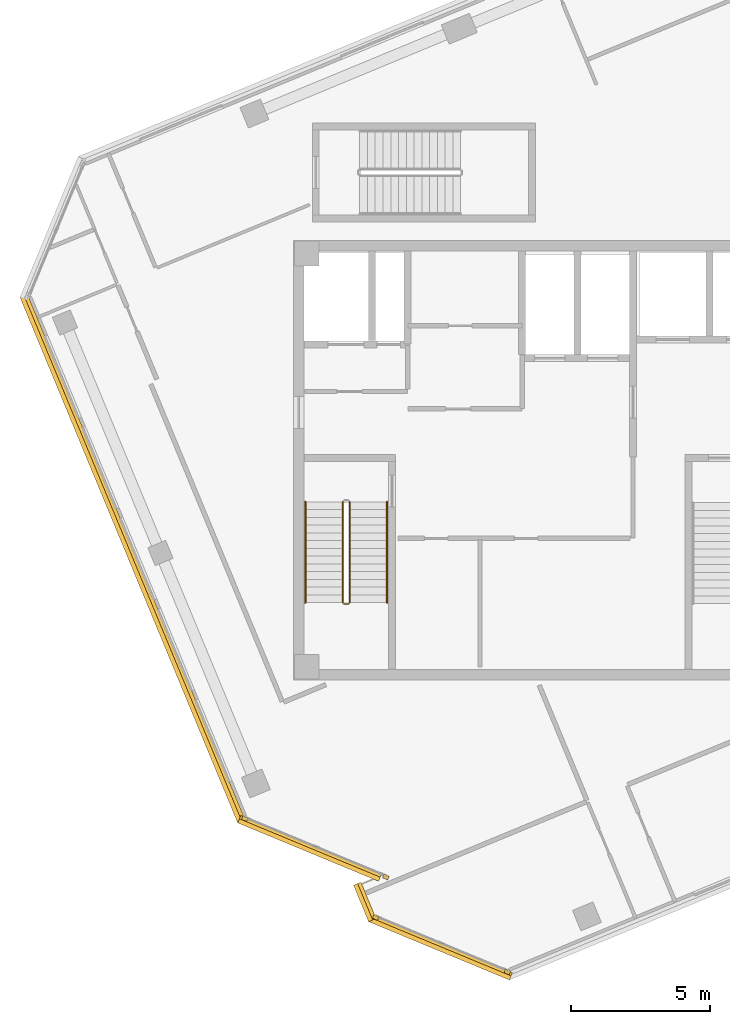
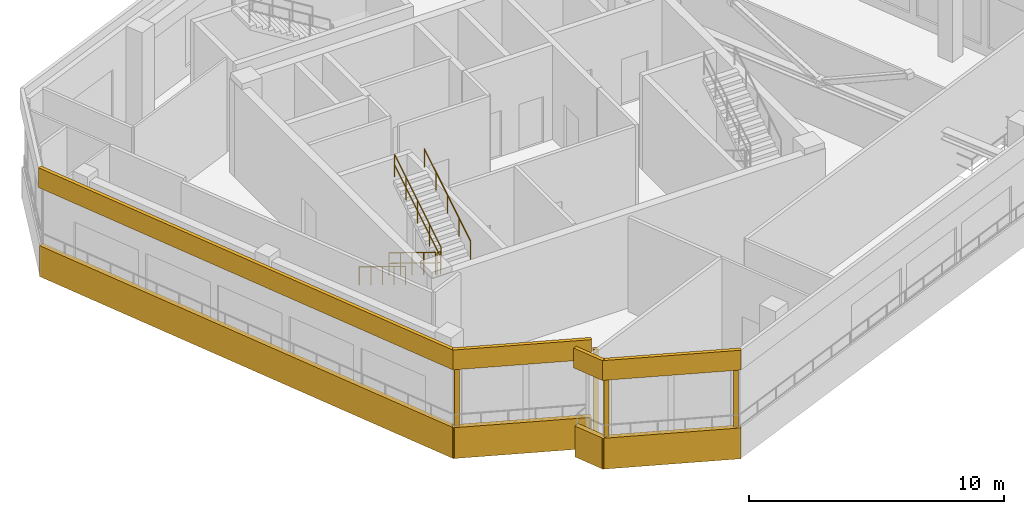
# One storey, part 12 of 17: 12 coverings, 5 railings.
"""IFC4 building model written with IfcOpenShell, lengths in metres."""

from ifc_helpers import new_model, si_unit, direction, frame, origin, origin_2d, place, context, subcontext, project, spatial, rectangle, circle, extrude, source, transform, mapped, material, layer, layer_set, type_object, element, save


model = new_model("IFC4")

# Units and contexts
model_context = context("Model", 3, precision=1e-05, world=origin(), true_north=direction((0.0, 1.0)))
body_context = subcontext(model_context, "Body", "Model", "MODEL_VIEW")
ifc_project = project(units=[si_unit("LENGTHUNIT", "METRE"), si_unit("AREAUNIT", "SQUARE_METRE"), si_unit("VOLUMEUNIT", "CUBIC_METRE"), si_unit("PLANEANGLEUNIT", "RADIAN"), si_unit("MASSUNIT", "GRAM", prefix="KILO")], contexts=[model_context])

# Site, building, storey
site_placement = place(None, origin())
site = spatial("IfcSite", under=ifc_project, at=site_placement, CompositionType="ELEMENT")
building_placement = place(site_placement, origin())
building = spatial("IfcBuilding", under=site, at=building_placement, Name="Torre Montelarca", CompositionType="ELEMENT")
storey_placement = place(building_placement, frame((0.0, 0.0, 355.199951171875)))
storey = spatial("IfcBuildingStorey", under=building, at=storey_placement, Name="L80", CompositionType="ELEMENT", Elevation=355.199951171875)

# Railings
ifc_material_1 = material(Name="Powder-coated steel ASTM A500 Grade C", Category="steel")
railing_type_1 = type_object("IfcRailingType", Name="RL-GUARD-1100", PredefinedType="BALUSTRADE", material=ifc_material_1)
railing_1_placement = place(storey_placement, frame((10.85009765625, 30.5, 0.17138671875)))
element("IfcRailing", 1, at=railing_1_placement, inside=storey, type_object=railing_type_1, Name="L80 ST1 stair guard 1", PredefinedType="BALUSTRADE", context=body_context, shape_type="SweptSolid", body=[
    extrude(circle(Radius=0.02392578125, at=origin_2d()), frame((0.0, 0.0, 1.076171875), z_axis=(0.0, -0.852824790078, 0.522197163366), x_axis=(1.0, 0.0, 0.0)), (0.0, 0.0, 1.0), 4.26806640625),
    extrude(circle(Radius=0.02099609375, at=origin_2d()), frame((0.0, 0.0, 0.572021484375), z_axis=(0.0, -0.852824790078, 0.522197163366), x_axis=(1.0, 0.0, 0.0)), (0.0, 0.0, 1.0), 4.26806640625),
    extrude(circle(Radius=0.02099609375, at=origin_2d()), origin(), (0.0, 0.0, 1.0), 1.052001953125),
    extrude(circle(Radius=0.02099609375, at=origin_2d()), frame((0.0, -0.909912109375, 0.55712890625)), (0.0, 0.0, 1.0), 1.052001953125),
    extrude(circle(Radius=0.02099609375, at=origin_2d()), frame((0.0, -1.81982421875, 1.1142578125)), (0.0, 0.0, 1.0), 1.052001953125),
    extrude(circle(Radius=0.02099609375, at=origin_2d()), frame((0.0, -2.72998046875, 1.671630859375)), (0.0, 0.0, 1.0), 1.052001953125),
    extrude(circle(Radius=0.02099609375, at=origin_2d()), frame((0.0, -3.639892578125, 2.228759765625)), (0.0, 0.0, 1.0), 1.052001953125),
])
railing_2_placement = place(storey_placement, frame((10.89990234375, 26.81005859375, 2.400146484375)))
element("IfcRailing", 2, at=railing_2_placement, inside=storey, type_object=railing_type_1, Name="L80 ST1 stair guard 2", PredefinedType="BALUSTRADE", context=body_context, shape_type="SweptSolid", body=[
    extrude(circle(Radius=0.02392578125, at=origin_2d()), frame((0.0, 0.0, 1.076171875), z_axis=(1.0, 0.0, 0.0), x_axis=(0.0, 1.0, 0.0)), (0.0, 0.0, 1.0), 0.150146484375),
    extrude(circle(Radius=0.02099609375, at=origin_2d()), frame((0.0, 0.0, 0.572021484375), z_axis=(1.0, 0.0, 0.0), x_axis=(0.0, 1.0, 0.0)), (0.0, 0.0, 1.0), 0.150146484375),
    extrude(circle(Radius=0.02099609375, at=origin_2d()), origin(), (0.0, 0.0, 1.0), 1.052001953125),
    extrude(circle(Radius=0.02099609375, at=origin_2d()), frame((0.150146484375, 0.0, 0.0)), (0.0, 0.0, 1.0), 1.052001953125),
])
railing_3_placement = place(storey_placement, frame((11.10009765625, 26.860107421875, 2.571533203125)))
element("IfcRailing", 3, at=railing_3_placement, inside=storey, type_object=railing_type_1, Name="L80 ST1 stair guard 3", PredefinedType="BALUSTRADE", context=body_context, shape_type="SweptSolid", body=[
    extrude(circle(Radius=0.02392578125, at=origin_2d()), frame((0.0, 0.0, 1.076171875), z_axis=(0.0, 0.852850264322, 0.5221555579), x_axis=(-1.0, 0.0, 0.0)), (0.0, 0.0, 1.0), 4.267822265625),
    extrude(circle(Radius=0.02099609375, at=origin_2d()), frame((0.0, 0.0, 0.572021484375), z_axis=(0.0, 0.852850264322, 0.5221555579), x_axis=(-1.0, 0.0, 0.0)), (0.0, 0.0, 1.0), 4.267822265625),
    extrude(circle(Radius=0.02099609375, at=origin_2d()), origin(), (0.0, 0.0, 1.0), 1.052001953125),
    extrude(circle(Radius=0.02099609375, at=origin_2d()), frame((0.0, 0.909912109375, 0.55712890625)), (0.0, 0.0, 1.0), 1.052001953125),
    extrude(circle(Radius=0.02099609375, at=origin_2d()), frame((0.0, 1.81982421875, 1.1142578125)), (0.0, 0.0, 1.0), 1.052001953125),
    extrude(circle(Radius=0.02099609375, at=origin_2d()), frame((0.0, 2.72998046875, 1.67138671875)), (0.0, 0.0, 1.0), 1.052001953125),
    extrude(circle(Radius=0.02099609375, at=origin_2d()), frame((0.0, 3.639892578125, 2.228515625)), (0.0, 0.0, 1.0), 1.052001953125),
])
ifc_material_2 = material(Name="Brushed stainless steel AISI 316", Category="steel")
railing_type_2 = type_object("IfcRailingType", Name="RL-HANDRAIL-900", PredefinedType="HANDRAIL", material=ifc_material_2)
railing_4_placement = place(storey_placement, frame((9.5, 30.5, 0.17138671875)))
element("IfcRailing", 4, at=railing_4_placement, inside=storey, type_object=railing_type_2, Name="L80 ST1 stair handrail 1", PredefinedType="HANDRAIL", context=body_context, shape_type="SweptSolid", body=[
    extrude(circle(Radius=0.02392578125, at=origin_2d()), frame((0.0, 0.0, 0.8759765625), z_axis=(0.0, -0.852824790078, 0.522197163366), x_axis=(1.0, 0.0, 0.0)), (0.0, 0.0, 1.0), 4.26806640625),
    extrude(circle(Radius=0.02099609375, at=origin_2d()), origin(), (0.0, 0.0, 1.0), 0.851806640625),
    extrude(circle(Radius=0.02099609375, at=origin_2d()), frame((0.0, -0.909912109375, 0.55712890625)), (0.0, 0.0, 1.0), 0.851806640625),
    extrude(circle(Radius=0.02099609375, at=origin_2d()), frame((0.0, -1.81982421875, 1.1142578125)), (0.0, 0.0, 1.0), 0.851806640625),
    extrude(circle(Radius=0.02099609375, at=origin_2d()), frame((0.0, -2.72998046875, 1.671630859375)), (0.0, 0.0, 1.0), 0.851806640625),
    extrude(circle(Radius=0.02099609375, at=origin_2d()), frame((0.0, -3.639892578125, 2.228759765625)), (0.0, 0.0, 1.0), 0.851806640625),
])
railing_5_placement = place(storey_placement, frame((12.449951171875, 26.860107421875, 2.571533203125)))
element("IfcRailing", 5, at=railing_5_placement, inside=storey, type_object=railing_type_2, Name="L80 ST1 stair handrail 2", PredefinedType="HANDRAIL", context=body_context, shape_type="SweptSolid", body=[
    extrude(circle(Radius=0.02392578125, at=origin_2d()), frame((0.0, 0.0, 0.8759765625), z_axis=(0.0, 0.852850264322, 0.5221555579), x_axis=(-1.0, 0.0, 0.0)), (0.0, 0.0, 1.0), 4.267822265625),
    extrude(circle(Radius=0.02099609375, at=origin_2d()), origin(), (0.0, 0.0, 1.0), 0.851806640625),
    extrude(circle(Radius=0.02099609375, at=origin_2d()), frame((0.0, 0.909912109375, 0.55712890625)), (0.0, 0.0, 1.0), 0.851806640625),
    extrude(circle(Radius=0.02099609375, at=origin_2d()), frame((0.0, 1.81982421875, 1.1142578125)), (0.0, 0.0, 1.0), 0.851806640625),
    extrude(circle(Radius=0.02099609375, at=origin_2d()), frame((0.0, 2.72998046875, 1.67138671875)), (0.0, 0.0, 1.0), 0.851806640625),
    extrude(circle(Radius=0.02099609375, at=origin_2d()), frame((0.0, 3.639892578125, 2.228515625)), (0.0, 0.0, 1.0), 0.851806640625),
])

# Coverings
ifc_material_3 = material(Name="Bush-hammered warm white precast concrete C45/55", Category="concrete")
ifc_layer = layer(ifc_material_3, 0.139892578125, Name="Bush-hammered warm white precast concrete C45/55", Category="concrete")
ifc_layer_set = layer_set([ifc_layer], Name="Bush-hammered warm white precast concrete C45/55")
covering_type = type_object("IfcCoveringType", Name="COV-TRAY-CLAD", PredefinedType="CLADDING", material=ifc_layer_set)
shared_shape_1 = source(origin(), body_context, "Body", "SweptSolid", [
    extrude(rectangle(XDim=0.199951171875, YDim=0.139892578125, at=origin_2d()), origin(), (0.0, 0.0, 1.0), 4.320068359375),
])
for number, where, z_axis, x_axis, name in (
    (6, (7.314208984375, 19.068603515625, 0.0), (0.0, 0.0, 1.0), (0.923884207802, -0.382672145019, 0.0), "L80 Architectural Column Pier Cladding E02-1"),
    (7, (12.40478515625, 16.960205078125, 0.0), (0.0, 0.0, 1.0), (0.923884207802, -0.382672145019, 0.0), "L80 Architectural Column Pier Cladding E02-2"),
    (8, (12.03759765625, 15.5048828125, 0.0), (0.0, 0.0, 1.0), (0.923880868323, -0.382680207415, 0.0), "L80 Architectural Column Pier Cladding E05-1"),
    (9, (16.78857421875, 13.537109375, 0.0), (0.0, 0.0, 1.0), (0.923880868323, -0.382680207415, 0.0), "L80 Architectural Column Pier Cladding E05-2"),
):
    element("IfcCovering", number, at=place(storey_placement, frame(where, z_axis=z_axis, x_axis=x_axis)), inside=storey, type_object=covering_type, Name=name, PredefinedType="CLADDING", context=body_context, shape_type="MappedRepresentation", body=[
        mapped(shared_shape_1, transform((0.0, 0.0, 0.0), scale=1.0)),
    ])
shared_shape_2 = source(origin(), body_context, "Body", "SweptSolid", [
    extrude(rectangle(XDim=20.52001953125, YDim=0.219970703125, at=origin_2d()), origin(), (0.0, 0.0, 1.0), 1.47998046875),
])
covering_1_placement = place(storey_placement, frame((3.297119140625, 28.465087890625, -0.31982421875), z_axis=(0.0, 0.0, 1.0), x_axis=(0.382680207415, -0.923880868323, 0.0)))
element("IfcCovering", 10, at=covering_1_placement, inside=storey, type_object=covering_type, Name="L80 Architectural White Spandrel Tray Band DMPRNG-01", PredefinedType="CLADDING", context=body_context, shape_type="MappedRepresentation", body=[
    mapped(shared_shape_2, transform((0.0, 0.0, 0.0), scale=1.0)),
])
shared_shape_3 = source(origin(), body_context, "Body", "SweptSolid", [
    extrude(rectangle(XDim=5.494140625, YDim=0.219970703125, at=origin_2d()), origin(), (0.0, 0.0, 1.0), 1.47998046875),
])
covering_2_placement = place(storey_placement, frame((9.666748046875, 18.029296875, -0.31982421875), z_axis=(0.0, 0.0, 1.0), x_axis=(0.923884207802, -0.382672145019, 0.0)))
element("IfcCovering", 11, at=covering_2_placement, inside=storey, type_object=covering_type, Name="L80 Architectural White Spandrel Tray Band DMPRNG-02", PredefinedType="CLADDING", context=body_context, shape_type="MappedRepresentation", body=[
    mapped(shared_shape_3, transform((0.0, 0.0, 0.0), scale=1.0)),
])
shared_shape_4 = source(origin(), body_context, "Body", "SweptSolid", [
    extrude(rectangle(XDim=1.420166015625, YDim=0.219970703125, at=origin_2d()), origin(), (0.0, 0.0, 1.0), 1.47998046875),
])
covering_3_placement = place(storey_placement, frame((11.67529296875, 16.078125, -0.31982421875), z_axis=(0.0, 0.0, 1.0), x_axis=(0.382675369981, -0.923882872019, 0.0)))
element("IfcCovering", 12, at=covering_3_placement, inside=storey, type_object=covering_type, Name="L80 Architectural White Spandrel Tray Band DMPRNG-04", PredefinedType="CLADDING", context=body_context, shape_type="MappedRepresentation", body=[
    mapped(shared_shape_4, transform((0.0, 0.0, 0.0), scale=1.0)),
])
shared_shape_5 = source(origin(), body_context, "Body", "SweptSolid", [
    extrude(rectangle(XDim=5.493896484375, YDim=0.219970703125, at=origin_2d()), origin(), (0.0, 0.0, 1.0), 1.47998046875),
])
covering_4_placement = place(storey_placement, frame((14.39013671875, 14.4658203125, -0.31982421875), z_axis=(0.0, 0.0, 1.0), x_axis=(0.923881536224, -0.382678594938, 0.0)))
element("IfcCovering", 13, at=covering_4_placement, inside=storey, type_object=covering_type, Name="L80 Architectural White Spandrel Tray Band DMPRNG-05", PredefinedType="CLADDING", context=body_context, shape_type="MappedRepresentation", body=[
    mapped(shared_shape_5, transform((0.0, 0.0, 0.0), scale=1.0)),
])
shared_shape_6 = source(origin(), body_context, "Body", "SweptSolid", [
    extrude(rectangle(XDim=20.52001953125, YDim=0.159912109375, at=origin_2d()), origin(), (0.0, 0.0, 1.0), 0.949951171875),
])
covering_5_placement = place(storey_placement, frame((3.204833984375, 28.4267578125, 3.98486328125), z_axis=(0.0, 0.0, 1.0), x_axis=(0.382680207415, -0.923880868323, 0.0)))
element("IfcCovering", 14, at=covering_5_placement, inside=storey, type_object=covering_type, Name="L80 Architectural White Spandrel Tray Band DMPTOP-01", PredefinedType="CLADDING", context=body_context, shape_type="MappedRepresentation", body=[
    mapped(shared_shape_6, transform((0.0, 0.0, 0.0), scale=1.0)),
])
shared_shape_7 = source(origin(), body_context, "Body", "SweptSolid", [
    extrude(rectangle(XDim=5.494140625, YDim=0.159912109375, at=origin_2d()), origin(), (0.0, 0.0, 1.0), 0.949951171875),
])
covering_6_placement = place(storey_placement, frame((9.62841796875, 17.93701171875, 3.98486328125), z_axis=(0.0, 0.0, 1.0), x_axis=(0.923884207802, -0.382672145019, 0.0)))
element("IfcCovering", 15, at=covering_6_placement, inside=storey, type_object=covering_type, Name="L80 Architectural White Spandrel Tray Band DMPTOP-02", PredefinedType="CLADDING", context=body_context, shape_type="MappedRepresentation", body=[
    mapped(shared_shape_7, transform((0.0, 0.0, 0.0), scale=1.0)),
])
shared_shape_8 = source(origin(), body_context, "Body", "SweptSolid", [
    extrude(rectangle(XDim=1.420166015625, YDim=0.159912109375, at=origin_2d()), origin(), (0.0, 0.0, 1.0), 0.949951171875),
])
covering_7_placement = place(storey_placement, frame((11.582763671875, 16.0400390625, 3.98486328125), z_axis=(0.0, 0.0, 1.0), x_axis=(0.382675369981, -0.923882872019, 0.0)))
element("IfcCovering", 16, at=covering_7_placement, inside=storey, type_object=covering_type, Name="L80 Architectural White Spandrel Tray Band DMPTOP-04", PredefinedType="CLADDING", context=body_context, shape_type="MappedRepresentation", body=[
    mapped(shared_shape_8, transform((0.0, 0.0, 0.0), scale=1.0)),
])
shared_shape_9 = source(origin(), body_context, "Body", "SweptSolid", [
    extrude(rectangle(XDim=5.493896484375, YDim=0.159912109375, at=origin_2d()), origin(), (0.0, 0.0, 1.0), 0.949951171875),
])
covering_8_placement = place(storey_placement, frame((14.351806640625, 14.373291015625, 3.98486328125), z_axis=(0.0, 0.0, 1.0), x_axis=(0.923881536224, -0.382678594938, 0.0)))
element("IfcCovering", 17, at=covering_8_placement, inside=storey, type_object=covering_type, Name="L80 Architectural White Spandrel Tray Band DMPTOP-05", PredefinedType="CLADDING", context=body_context, shape_type="MappedRepresentation", body=[
    mapped(shared_shape_9, transform((0.0, 0.0, 0.0), scale=1.0)),
])

save(model, "model.ifc")
